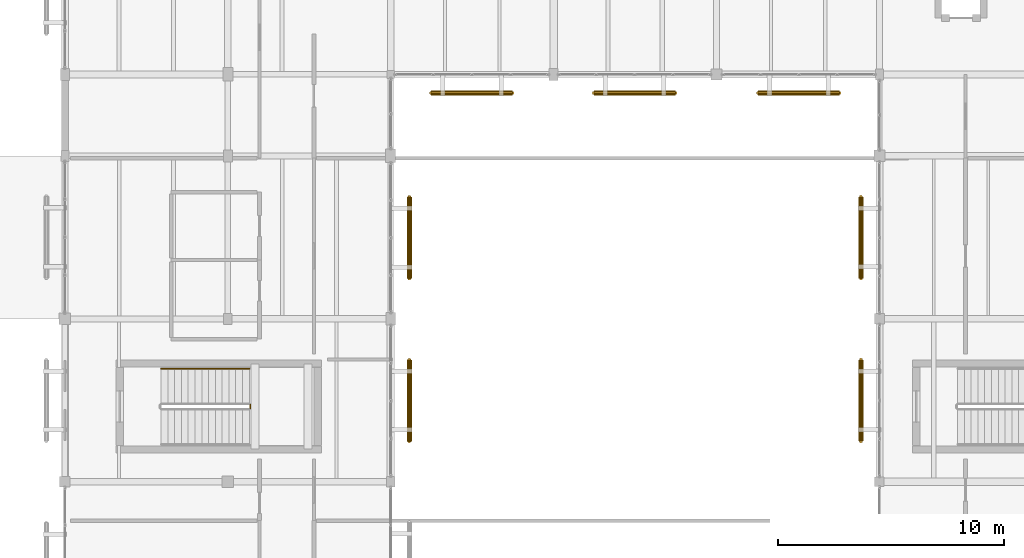
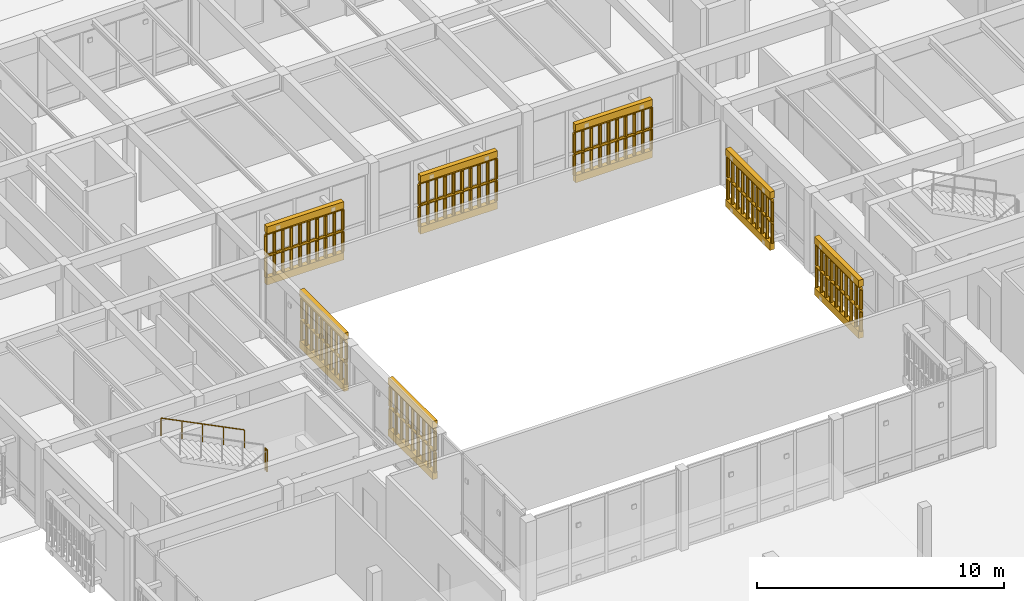
# One storey, part 109 of 112: 16 railings, 14 coverings.
"""IFC4 building model written with IfcOpenShell, lengths in metres."""

import ifcopenshell
import ifcopenshell.guid

model = None  # the IFC model being written
_history = None  # IfcOwnerHistory: only IFC2X3 demands one
_inside = {}  # id of a spatial element -> (the spatial element, [elements in it])
_under = {}  # id of a project, library or spatial element -> (it, [spatial elements below it])
_declared = {}  # id of a project -> (the project, [libraries it declares])
_typed = {}  # id of a type object -> (the type object, [elements of that type])
_made_of = {}  # id of a material, layer set ... -> (it, [elements and type objects made of it])


def new_model(schema):
    """Start an empty IFC model of exactly this schema.

    Asked for "IFC4X3", IfcOpenShell would pick the latest addendum, in which some entities
    have other attributes; the version numbers below select the first issue.
    IFC2X3 requires an IfcOwnerHistory on every rooted entity: one is made here for all.
    """
    global model, _history
    if schema == "IFC4X3":
        model = ifcopenshell.file(schema_version=(4, 3, 0, 0))
    else:
        model = ifcopenshell.file(schema=schema)
    _inside.clear()
    _under.clear()
    _declared.clear()
    _typed.clear()
    _made_of.clear()
    _history = None
    if model.schema == "IFC2X3":
        org = make("IfcOrganization", Name="unknown")
        user = make(
            "IfcPersonAndOrganization",
            ThePerson=make("IfcPerson", FamilyName="unknown"),
            TheOrganization=org,
        )
        app = make(
            "IfcApplication",
            ApplicationDeveloper=org,
            Version="unknown",
            ApplicationFullName="unknown",
            ApplicationIdentifier="unknown",
        )
        _history = make(
            "IfcOwnerHistory",
            OwningUser=user,
            OwningApplication=app,
            ChangeAction="ADDED",
            CreationDate=0,
        )
    return model


def make(cls, **values):
    """One entity of the class cls with the attributes given. An attribute that is None is left unset."""
    return model.create_entity(
        cls, **{name: value for name, value in values.items() if value is not None}
    )


def rooted(cls, **values):
    """An entity with a GlobalId (a new one), such as an element, a storey or a relation."""
    return make(cls, GlobalId=ifcopenshell.guid.new(), OwnerHistory=_history, **values)


def si_unit(unit_type, name, prefix=None):
    """IfcSIUnit, for example si_unit("LENGTHUNIT", "METRE", prefix="MILLI")."""
    return make("IfcSIUnit", UnitType=unit_type, Prefix=prefix, Name=name)


def assignment(units):
    """IfcUnitAssignment: the units of a project."""
    return None if units is None else make("IfcUnitAssignment", Units=units)


def point(xyz):
    """IfcCartesianPoint."""
    return None if xyz is None else make("IfcCartesianPoint", Coordinates=xyz)


def direction(xyz):
    """IfcDirection."""
    return None if xyz is None else make("IfcDirection", DirectionRatios=xyz)


def frame(location, z_axis=None, x_axis=None):
    """IfcAxis2Placement3D, a coordinate frame: its origin and axes. An axis left out is left unset."""
    return make(
        "IfcAxis2Placement3D",
        Location=point(location),
        Axis=direction(z_axis),
        RefDirection=direction(x_axis),
    )


def frame_2d(location, x_axis=None):
    """IfcAxis2Placement2D, a coordinate frame in the plane: its origin and x axis."""
    return make(
        "IfcAxis2Placement2D", Location=point(location), RefDirection=direction(x_axis)
    )


def origin():
    """The frame at (0, 0, 0) with its axes left unset."""
    return frame((0.0, 0.0, 0.0))


def origin_2d():
    """The frame at (0, 0) in the plane with its x axis left unset."""
    return frame_2d((0.0, 0.0))


def place(relative_to, where):
    """IfcLocalPlacement: puts the frame where relative to a parent placement (None: the world)."""
    return make(
        "IfcLocalPlacement", PlacementRelTo=relative_to, RelativePlacement=where
    )


def context(
    kind, dimensions, precision=None, world=None, true_north=None, identifier=None
):
    """IfcGeometricRepresentationContext, for example the 3D "Model" context."""
    return make(
        "IfcGeometricRepresentationContext",
        ContextIdentifier=identifier,
        ContextType=kind,
        CoordinateSpaceDimension=dimensions,
        Precision=precision,
        WorldCoordinateSystem=world,
        TrueNorth=true_north,
    )


def subcontext(parent, identifier, kind, view, scale=None):
    """IfcGeometricRepresentationSubContext, for example "Body" below "Model"."""
    return make(
        "IfcGeometricRepresentationSubContext",
        ContextIdentifier=identifier,
        ContextType=kind,
        ParentContext=parent,
        TargetScale=scale,
        TargetView=view,
    )


def project(units=None, contexts=None):
    """IfcProject with its units and contexts."""
    return rooted(
        "IfcProject",
        Name="project",
        RepresentationContexts=contexts,
        UnitsInContext=assignment(units),
    )


def spatial(cls, under=None, at=None, **own):
    """A site, building, storey or space (cls), placed at a placement, below another one or the project."""
    s = rooted(cls, ObjectPlacement=at, **own)
    if under is not None:
        _under.setdefault(under.id(), (under, []))[1].append(s)
    return s


def polyline(points):
    """IfcPolyline through the points."""
    return make("IfcPolyline", Points=[point(p) for p in points])


def profile(cls, at=None, kind="AREA", **sizes):
    """A parametric profile (cls). Its sizes go by their IFC names, for example OverallWidth=200.0."""
    return make(cls, ProfileType=kind, Position=at, **sizes)


def circle(**sizes):
    """IfcCircleProfileDef."""
    return profile("IfcCircleProfileDef", **sizes)


def outline(outer, holes=None, kind="AREA"):
    """IfcArbitraryClosedProfileDef: a profile drawn as a closed curve; with holes, ...WithVoids."""
    if holes is None:
        return make("IfcArbitraryClosedProfileDef", ProfileType=kind, OuterCurve=outer)
    return make(
        "IfcArbitraryProfileDefWithVoids",
        ProfileType=kind,
        OuterCurve=outer,
        InnerCurves=holes,
    )


def extrude(swept, where, along, depth):
    """IfcExtrudedAreaSolid: the profile swept, set in the frame where, extruded along a direction by depth."""
    return make(
        "IfcExtrudedAreaSolid",
        SweptArea=swept,
        Position=where,
        ExtrudedDirection=direction(along),
        Depth=depth,
    )


def shape(context_of_items, identifier, shape_type, items):
    """IfcShapeRepresentation: the items that make up one representation, for example the "Body"."""
    return make(
        "IfcShapeRepresentation",
        ContextOfItems=context_of_items,
        RepresentationIdentifier=identifier,
        RepresentationType=shape_type,
        Items=items,
    )


def material(Name=None, Category=None):
    """IfcMaterial."""
    return make("IfcMaterial", Name=Name, Category=Category)


def layer(
    of_material, thickness, ventilated=None, Name=None, Category=None, Priority=None
):
    """IfcMaterialLayer: one layer of a wall or slab, of a material (None: an air gap)."""
    return make(
        "IfcMaterialLayer",
        Material=of_material,
        LayerThickness=thickness,
        IsVentilated=ventilated,
        Name=Name,
        Category=Category,
        Priority=Priority,
    )


def layer_set(layers, Name=None):
    """IfcMaterialLayerSet."""
    return make("IfcMaterialLayerSet", MaterialLayers=layers, LayerSetName=Name)


def made_of(thing, what):
    """Note that an element or type object is made of a material, layer set ...; save() writes the relation."""
    if what is not None:
        _made_of.setdefault(what.id(), (what, []))[1].append(thing)
    return thing


def type_object(cls, material=None, **own):
    """A type object (cls), such as IfcWallType, which elements share."""
    return made_of(rooted(cls, **own), material)


def element(
    cls,
    number,
    at=None,
    inside=None,
    cuts=None,
    type_object=None,
    material=None,
    context=None,
    identifier="Body",
    shape_type=None,
    held_by="IfcProductDefinitionShape",
    body=None,
    shapes=None,
    **own,
):
    """One element of the class cls, such as IfcWall. Its Tag is "e" and its number.

    at: its placement. inside: the storey or other place that contains it. cuts: it is an
    opening in that element (IfcRelVoidsElement). A single representation is given by context,
    identifier, shape_type and body (its items); several are given by shapes. held_by: the class
    of the entity that holds the representations. save() writes the other relations.
    """
    e = rooted(cls, Tag="e%d" % number, ObjectPlacement=at, **own)
    if body is not None:
        shapes = [shape(context, identifier, shape_type, body)]
    if shapes is not None:
        e.Representation = make(held_by, Representations=shapes)
    if inside is not None:
        _inside.setdefault(inside.id(), (inside, []))[1].append(e)
    if cuts is not None:
        rooted(
            "IfcRelVoidsElement", RelatingBuildingElement=cuts, RelatedOpeningElement=e
        )
    if type_object is not None:
        _typed.setdefault(type_object.id(), (type_object, []))[1].append(e)
    return made_of(e, material)


def aggregate(whole, parts):
    """IfcRelAggregates: a whole, such as a stair, and the parts it consists of."""
    return rooted("IfcRelAggregates", RelatingObject=whole, RelatedObjects=parts)


def save(model, path):
    """Write the relations noted so far, then the file.

    IfcRelAggregates (storeys below a building ...), IfcRelContainedInSpatialStructure (elements
    in a storey), IfcRelDefinesByType, IfcRelAssociatesMaterial and IfcRelDeclares: one each for
    every whole, place, type object, material and project.
    """
    for whole, parts in _under.values():
        aggregate(whole, parts)
    for where, things in _inside.values():
        rooted(
            "IfcRelContainedInSpatialStructure",
            RelatedElements=things,
            RelatingStructure=where,
        )
    for kind, things in _typed.values():
        rooted("IfcRelDefinesByType", RelatedObjects=things, RelatingType=kind)
    for what, things in _made_of.values():
        rooted("IfcRelAssociatesMaterial", RelatedObjects=things, RelatingMaterial=what)
    for by, libraries in _declared.values():
        rooted("IfcRelDeclares", RelatingContext=by, RelatedDefinitions=libraries)
    model.write(path)


model = new_model("IFC4")

# Units and contexts
model_context = context("Model", 3, precision=1e-05, world=origin(), true_north=direction((0.0, 1.0)))
body_context = subcontext(model_context, "Body", "Model", "MODEL_VIEW")
ifc_project = project(units=[si_unit("LENGTHUNIT", "METRE"), si_unit("AREAUNIT", "SQUARE_METRE"), si_unit("VOLUMEUNIT", "CUBIC_METRE"), si_unit("PLANEANGLEUNIT", "RADIAN"), si_unit("MASSUNIT", "GRAM", prefix="KILO")], contexts=[model_context])

# Site, building, storey
site_placement = place(None, origin())
site = spatial("IfcSite", under=ifc_project, at=site_placement, CompositionType="ELEMENT")
building_placement = place(site_placement, origin())
building = spatial("IfcBuilding", under=site, at=building_placement, Name="Mazaris Harbour Polytechnic", CompositionType="ELEMENT")
storey_placement = place(building_placement, frame((0.0, 0.0, 13.800048828125)))
storey = spatial("IfcBuildingStorey", under=building, at=storey_placement, Name="L03", CompositionType="ELEMENT", Elevation=13.800048828125)

# Railings
ifc_material_1 = material(Name="Perforated Earth-Coloured Terracotta Block", Category="masonry")
railing_type_1 = type_object("IfcRailingType", Name="Perforated Earth-Block Claustra Lattice 1040", PredefinedType="BALUSTRADE", material=ifc_material_1)
for number, where, name in (
    (1, (142.18505859375, 85.580078125, 0.52001953125), "V5 L03 Lower Perforated Terracotta Block Screen 476"),
    (2, (142.18505859375, 85.580078125, 1.60986328125), "V5 L03 Upper Perforated Terracotta Block Screen 476"),
    (3, (149.375, 85.580078125, 0.52001953125), "V5 L03 Lower Perforated Terracotta Block Screen 477"),
    (4, (149.375, 85.580078125, 1.60986328125), "V5 L03 Upper Perforated Terracotta Block Screen 477"),
    (5, (156.635009765625, 85.580078125, 0.52001953125), "V5 L03 Lower Perforated Terracotta Block Screen 478"),
    (6, (156.635009765625, 85.580078125, 1.60986328125), "V5 L03 Upper Perforated Terracotta Block Screen 478"),
):
    element("IfcRailing", number, at=place(storey_placement, frame(where)), inside=storey, type_object=railing_type_1, Name=name, PredefinedType="BALUSTRADE", context=body_context, shape_type="SweptSolid", body=[
        extrude(circle(Radius=0.06982421875, at=origin_2d()), frame((0.0, 0.0, 1.02001953125), z_axis=(-1.0, 0.0, 0.0), x_axis=(0.0, -1.0, 0.0)), (0.0, 0.0, 1.0), 3.60009765625),
        extrude(circle(Radius=0.074951171875, at=origin_2d()), origin(), (0.0, 0.0, 1.0), 0.9501953125),
        extrude(circle(Radius=0.074951171875, at=origin_2d()), frame((-0.39990234375, 0.0, 0.0)), (0.0, 0.0, 1.0), 0.9501953125),
        extrude(circle(Radius=0.074951171875, at=origin_2d()), frame((-0.800048828125, 0.0, 0.0)), (0.0, 0.0, 1.0), 0.9501953125),
        extrude(circle(Radius=0.074951171875, at=origin_2d()), frame((-1.199951171875, 0.0, 0.0)), (0.0, 0.0, 1.0), 0.9501953125),
        extrude(circle(Radius=0.074951171875, at=origin_2d()), frame((-1.60009765625, 0.0, 0.0)), (0.0, 0.0, 1.0), 0.9501953125),
        extrude(circle(Radius=0.074951171875, at=origin_2d()), frame((-2.0, 0.0, 0.0)), (0.0, 0.0, 1.0), 0.9501953125),
        extrude(circle(Radius=0.074951171875, at=origin_2d()), frame((-2.400146484375, 0.0, 0.0)), (0.0, 0.0, 1.0), 0.9501953125),
        extrude(circle(Radius=0.074951171875, at=origin_2d()), frame((-2.800048828125, 0.0, 0.0)), (0.0, 0.0, 1.0), 0.9501953125),
        extrude(circle(Radius=0.074951171875, at=origin_2d()), frame((-3.2001953125, 0.0, 0.0)), (0.0, 0.0, 1.0), 0.9501953125),
        extrude(circle(Radius=0.074951171875, at=origin_2d()), frame((-3.60009765625, 0.0, 0.0)), (0.0, 0.0, 1.0), 0.9501953125),
    ])
for number, where, name in (
    (7, (137.6201171875, 70.18505859375, 0.52001953125), "V5 L03 Lower Perforated Terracotta Block Screen 480"),
    (8, (137.6201171875, 70.18505859375, 1.60986328125), "V5 L03 Upper Perforated Terracotta Block Screen 480"),
):
    element("IfcRailing", number, at=place(storey_placement, frame(where)), inside=storey, type_object=railing_type_1, Name=name, PredefinedType="BALUSTRADE", context=body_context, shape_type="SweptSolid", body=[
        extrude(circle(Radius=0.06982421875, at=origin_2d()), frame((0.0, 0.0, 1.02001953125), z_axis=(0.0, 1.0, 0.0), x_axis=(-1.0, 0.0, 0.0)), (0.0, 0.0, 1.0), 3.599853515625),
        extrude(circle(Radius=0.074951171875, at=origin_2d()), origin(), (0.0, 0.0, 1.0), 0.9501953125),
        extrude(circle(Radius=0.074951171875, at=origin_2d()), frame((0.0, 0.449951171875, 0.0)), (0.0, 0.0, 1.0), 0.9501953125),
        extrude(circle(Radius=0.074951171875, at=origin_2d()), frame((0.0, 0.89990234375, 0.0)), (0.0, 0.0, 1.0), 0.9501953125),
        extrude(circle(Radius=0.074951171875, at=origin_2d()), frame((0.0, 1.349853515625, 0.0)), (0.0, 0.0, 1.0), 0.9501953125),
        extrude(circle(Radius=0.074951171875, at=origin_2d()), frame((0.0, 1.7998046875, 0.0)), (0.0, 0.0, 1.0), 0.9501953125),
        extrude(circle(Radius=0.074951171875, at=origin_2d()), frame((0.0, 2.25, 0.0)), (0.0, 0.0, 1.0), 0.9501953125),
        extrude(circle(Radius=0.074951171875, at=origin_2d()), frame((0.0, 2.699951171875, 0.0)), (0.0, 0.0, 1.0), 0.9501953125),
        extrude(circle(Radius=0.074951171875, at=origin_2d()), frame((0.0, 3.14990234375, 0.0)), (0.0, 0.0, 1.0), 0.9501953125),
        extrude(circle(Radius=0.074951171875, at=origin_2d()), frame((0.0, 3.599853515625, 0.0)), (0.0, 0.0, 1.0), 0.9501953125),
    ])
for number, where, name in (
    (9, (137.6201171875, 77.385009765625, 0.52001953125), "V5 L03 Lower Perforated Terracotta Block Screen 481"),
    (10, (137.6201171875, 77.385009765625, 1.60986328125), "V5 L03 Upper Perforated Terracotta Block Screen 481"),
):
    element("IfcRailing", number, at=place(storey_placement, frame(where)), inside=storey, type_object=railing_type_1, Name=name, PredefinedType="BALUSTRADE", context=body_context, shape_type="SweptSolid", body=[
        extrude(circle(Radius=0.06982421875, at=origin_2d()), frame((0.0, 0.0, 1.02001953125), z_axis=(0.0, 1.0, 0.0), x_axis=(-1.0, 0.0, 0.0)), (0.0, 0.0, 1.0), 3.60009765625),
        extrude(circle(Radius=0.074951171875, at=origin_2d()), origin(), (0.0, 0.0, 1.0), 0.9501953125),
        extrude(circle(Radius=0.074951171875, at=origin_2d()), frame((0.0, 0.39990234375, 0.0)), (0.0, 0.0, 1.0), 0.9501953125),
        extrude(circle(Radius=0.074951171875, at=origin_2d()), frame((0.0, 0.800048828125, 0.0)), (0.0, 0.0, 1.0), 0.9501953125),
        extrude(circle(Radius=0.074951171875, at=origin_2d()), frame((0.0, 1.199951171875, 0.0)), (0.0, 0.0, 1.0), 0.9501953125),
        extrude(circle(Radius=0.074951171875, at=origin_2d()), frame((0.0, 1.60009765625, 0.0)), (0.0, 0.0, 1.0), 0.9501953125),
        extrude(circle(Radius=0.074951171875, at=origin_2d()), frame((0.0, 2.0, 0.0)), (0.0, 0.0, 1.0), 0.9501953125),
        extrude(circle(Radius=0.074951171875, at=origin_2d()), frame((0.0, 2.400146484375, 0.0)), (0.0, 0.0, 1.0), 0.9501953125),
        extrude(circle(Radius=0.074951171875, at=origin_2d()), frame((0.0, 2.800048828125, 0.0)), (0.0, 0.0, 1.0), 0.9501953125),
        extrude(circle(Radius=0.074951171875, at=origin_2d()), frame((0.0, 3.2001953125, 0.0)), (0.0, 0.0, 1.0), 0.9501953125),
        extrude(circle(Radius=0.074951171875, at=origin_2d()), frame((0.0, 3.60009765625, 0.0)), (0.0, 0.0, 1.0), 0.9501953125),
    ])
for number, where, name in (
    (11, (157.580078125, 73.7900390625, 0.52001953125), "V5 L03 Lower Perforated Terracotta Block Screen 483"),
    (12, (157.580078125, 73.7900390625, 1.60986328125), "V5 L03 Upper Perforated Terracotta Block Screen 483"),
    (13, (157.580078125, 80.989990234375, 0.52001953125), "V5 L03 Lower Perforated Terracotta Block Screen 484"),
    (14, (157.580078125, 80.989990234375, 1.60986328125), "V5 L03 Upper Perforated Terracotta Block Screen 484"),
):
    element("IfcRailing", number, at=place(storey_placement, frame(where)), inside=storey, type_object=railing_type_1, Name=name, PredefinedType="BALUSTRADE", context=body_context, shape_type="SweptSolid", body=[
        extrude(circle(Radius=0.06982421875, at=origin_2d()), frame((0.0, 0.0, 1.02001953125), z_axis=(0.0, -1.0, 0.0), x_axis=(1.0, 0.0, 0.0)), (0.0, 0.0, 1.0), 3.60009765625),
        extrude(circle(Radius=0.074951171875, at=origin_2d()), origin(), (0.0, 0.0, 1.0), 0.9501953125),
        extrude(circle(Radius=0.074951171875, at=origin_2d()), frame((0.0, -0.39990234375, 0.0)), (0.0, 0.0, 1.0), 0.9501953125),
        extrude(circle(Radius=0.074951171875, at=origin_2d()), frame((0.0, -0.800048828125, 0.0)), (0.0, 0.0, 1.0), 0.9501953125),
        extrude(circle(Radius=0.074951171875, at=origin_2d()), frame((0.0, -1.199951171875, 0.0)), (0.0, 0.0, 1.0), 0.9501953125),
        extrude(circle(Radius=0.074951171875, at=origin_2d()), frame((0.0, -1.60009765625, 0.0)), (0.0, 0.0, 1.0), 0.9501953125),
        extrude(circle(Radius=0.074951171875, at=origin_2d()), frame((0.0, -2.0, 0.0)), (0.0, 0.0, 1.0), 0.9501953125),
        extrude(circle(Radius=0.074951171875, at=origin_2d()), frame((0.0, -2.400146484375, 0.0)), (0.0, 0.0, 1.0), 0.9501953125),
        extrude(circle(Radius=0.074951171875, at=origin_2d()), frame((0.0, -2.800048828125, 0.0)), (0.0, 0.0, 1.0), 0.9501953125),
        extrude(circle(Radius=0.074951171875, at=origin_2d()), frame((0.0, -3.2001953125, 0.0)), (0.0, 0.0, 1.0), 0.9501953125),
        extrude(circle(Radius=0.074951171875, at=origin_2d()), frame((0.0, -3.60009765625, 0.0)), (0.0, 0.0, 1.0), 0.9501953125),
    ])
ifc_material_2 = material(Name="Stainless Steel S355", Category="steel")
railing_type_2 = type_object("IfcRailingType", Name="Stair Wall Handrail 900", PredefinedType="HANDRAIL", material=ifc_material_2)
railing_1_placement = place(storey_placement, frame((130.550048828125, 73.39990234375, 2.25)))
element("IfcRailing", 15, at=railing_1_placement, inside=storey, type_object=railing_type_2, Name="L03 ST09 stair handrail 2", PredefinedType="HANDRAIL", context=body_context, shape_type="SweptSolid", body=[
    extrude(circle(Radius=0.02392578125, at=origin_2d()), frame((0.0, 0.0, 0.8759765625), z_axis=(-0.894438388696, 0.0, 0.447191199406), x_axis=(0.0, -1.0, 0.0)), (0.0, 0.0, 1.0), 4.3603515625),
    extrude(circle(Radius=0.02099609375, at=origin_2d()), origin(), (0.0, 0.0, 1.0), 0.851806640625),
    extrude(circle(Radius=0.02099609375, at=origin_2d()), frame((-0.97509765625, 0.0, 0.487548828125)), (0.0, 0.0, 1.0), 0.851806640625),
    extrude(circle(Radius=0.02099609375, at=origin_2d()), frame((-1.9501953125, 0.0, 0.97509765625)), (0.0, 0.0, 1.0), 0.851806640625),
    extrude(circle(Radius=0.02099609375, at=origin_2d()), frame((-2.925048828125, 0.0, 1.46240234375)), (0.0, 0.0, 1.0), 0.851806640625),
    extrude(circle(Radius=0.02099609375, at=origin_2d()), frame((-3.900146484375, 0.0, 1.949951171875)), (0.0, 0.0, 1.0), 0.851806640625),
])
ifc_material_3 = material(Name="Steel S355", Category="steel")
railing_type_3 = type_object("IfcRailingType", Name="Stair Well Guardrail 1100", PredefinedType="GUARDRAIL", material=ifc_material_3)
railing_2_placement = place(storey_placement, frame((130.60009765625, 71.64990234375, 2.099853515625)))
element("IfcRailing", 16, at=railing_2_placement, inside=storey, type_object=railing_type_3, Name="L03 ST09 stair guard 2", PredefinedType="GUARDRAIL", context=body_context, shape_type="SweptSolid", body=[
    extrude(circle(Radius=0.02392578125, at=origin_2d()), frame((0.0, 0.0, 1.076171875), z_axis=(0.0, 1.0, 0.0), x_axis=(-1.0, 0.0, 0.0)), (0.0, 0.0, 1.0), 0.150146484375),
    extrude(circle(Radius=0.02099609375, at=origin_2d()), origin(), (0.0, 0.0, 1.0), 1.052001953125),
    extrude(circle(Radius=0.02099609375, at=origin_2d()), frame((0.0, 0.150146484375, 0.0)), (0.0, 0.0, 1.0), 1.052001953125),
])

# Coverings
ifc_material_4 = material(Name="Perforated Earth-Coloured Terracotta Block", Category="masonry")
ifc_layer = layer(ifc_material_4, 0.219970703125, Name="Perforated Earth-Coloured Terracotta Block")
ifc_layer_set = layer_set([ifc_layer], Name="Perforated Earth-Coloured Terracotta Block")
covering_type = type_object("IfcCoveringType", Name="Terracotta Screen Course Cladding 220", PredefinedType="CLADDING", material=ifc_layer_set)
covering_1_placement = place(storey_placement, frame((0.0, 0.0, 0.159912109375)))
element("IfcCovering", 17, at=covering_1_placement, inside=storey, type_object=covering_type, Name="V5 L03 Perforated Screen Sill Course 476", PredefinedType="CLADDING", context=body_context, shape_type="SweptSolid", body=[
    extrude(outline(polyline([(142.18505859375, 85.68994140625), (138.5849609375, 85.68994140625), (138.5849609375, 85.469970703125), (142.18505859375, 85.469970703125), (142.18505859375, 85.68994140625)])), origin(), (0.0, 0.0, 1.0), 0.360107421875),
])
covering_2_placement = place(storey_placement, frame((0.0, 0.0, 2.699951171875)))
element("IfcCovering", 18, at=covering_2_placement, inside=storey, type_object=covering_type, Name="V5 L03 Perforated Screen Lintel Course 476", PredefinedType="CLADDING", context=body_context, shape_type="SweptSolid", body=[
    extrude(outline(polyline([(142.18505859375, 85.68994140625), (138.5849609375, 85.68994140625), (138.5849609375, 85.469970703125), (142.18505859375, 85.469970703125), (142.18505859375, 85.68994140625)])), origin(), (0.0, 0.0, 1.0), 0.340087890625),
])
covering_3_placement = place(storey_placement, frame((0.0, 0.0, 0.159912109375)))
element("IfcCovering", 19, at=covering_3_placement, inside=storey, type_object=covering_type, Name="V5 L03 Perforated Screen Sill Course 477", PredefinedType="CLADDING", context=body_context, shape_type="SweptSolid", body=[
    extrude(outline(polyline([(149.375, 85.68994140625), (145.77490234375, 85.68994140625), (145.77490234375, 85.469970703125), (149.375, 85.469970703125), (149.375, 85.68994140625)])), origin(), (0.0, 0.0, 1.0), 0.360107421875),
])
covering_4_placement = place(storey_placement, frame((0.0, 0.0, 2.699951171875)))
element("IfcCovering", 20, at=covering_4_placement, inside=storey, type_object=covering_type, Name="V5 L03 Perforated Screen Lintel Course 477", PredefinedType="CLADDING", context=body_context, shape_type="SweptSolid", body=[
    extrude(outline(polyline([(149.375, 85.68994140625), (145.77490234375, 85.68994140625), (145.77490234375, 85.469970703125), (149.375, 85.469970703125), (149.375, 85.68994140625)])), origin(), (0.0, 0.0, 1.0), 0.340087890625),
])
covering_5_placement = place(storey_placement, frame((0.0, 0.0, 0.159912109375)))
element("IfcCovering", 21, at=covering_5_placement, inside=storey, type_object=covering_type, Name="V5 L03 Perforated Screen Sill Course 478", PredefinedType="CLADDING", context=body_context, shape_type="SweptSolid", body=[
    extrude(outline(polyline([(156.635009765625, 85.68994140625), (153.034912109375, 85.68994140625), (153.034912109375, 85.469970703125), (156.635009765625, 85.469970703125), (156.635009765625, 85.68994140625)])), origin(), (0.0, 0.0, 1.0), 0.360107421875),
])
covering_6_placement = place(storey_placement, frame((0.0, 0.0, 2.699951171875)))
element("IfcCovering", 22, at=covering_6_placement, inside=storey, type_object=covering_type, Name="V5 L03 Perforated Screen Lintel Course 478", PredefinedType="CLADDING", context=body_context, shape_type="SweptSolid", body=[
    extrude(outline(polyline([(156.635009765625, 85.68994140625), (153.034912109375, 85.68994140625), (153.034912109375, 85.469970703125), (156.635009765625, 85.469970703125), (156.635009765625, 85.68994140625)])), origin(), (0.0, 0.0, 1.0), 0.340087890625),
])
covering_7_placement = place(storey_placement, frame((0.0, 0.0, 0.159912109375)))
element("IfcCovering", 23, at=covering_7_placement, inside=storey, type_object=covering_type, Name="V5 L03 Perforated Screen Sill Course 480", PredefinedType="CLADDING", context=body_context, shape_type="SweptSolid", body=[
    extrude(outline(polyline([(137.510009765625, 70.18505859375), (137.510009765625, 73.784912109375), (137.72998046875, 73.784912109375), (137.72998046875, 70.18505859375), (137.510009765625, 70.18505859375)])), origin(), (0.0, 0.0, 1.0), 0.360107421875),
])
covering_8_placement = place(storey_placement, frame((0.0, 0.0, 2.699951171875)))
element("IfcCovering", 24, at=covering_8_placement, inside=storey, type_object=covering_type, Name="V5 L03 Perforated Screen Lintel Course 480", PredefinedType="CLADDING", context=body_context, shape_type="SweptSolid", body=[
    extrude(outline(polyline([(137.510009765625, 70.18505859375), (137.510009765625, 73.784912109375), (137.72998046875, 73.784912109375), (137.72998046875, 70.18505859375), (137.510009765625, 70.18505859375)])), origin(), (0.0, 0.0, 1.0), 0.340087890625),
])
covering_9_placement = place(storey_placement, frame((0.0, 0.0, 0.159912109375)))
element("IfcCovering", 25, at=covering_9_placement, inside=storey, type_object=covering_type, Name="V5 L03 Perforated Screen Sill Course 481", PredefinedType="CLADDING", context=body_context, shape_type="SweptSolid", body=[
    extrude(outline(polyline([(137.510009765625, 77.385009765625), (137.510009765625, 80.985107421875), (137.72998046875, 80.985107421875), (137.72998046875, 77.385009765625), (137.510009765625, 77.385009765625)])), origin(), (0.0, 0.0, 1.0), 0.360107421875),
])
covering_10_placement = place(storey_placement, frame((0.0, 0.0, 2.699951171875)))
element("IfcCovering", 26, at=covering_10_placement, inside=storey, type_object=covering_type, Name="V5 L03 Perforated Screen Lintel Course 481", PredefinedType="CLADDING", context=body_context, shape_type="SweptSolid", body=[
    extrude(outline(polyline([(137.510009765625, 77.385009765625), (137.510009765625, 80.985107421875), (137.72998046875, 80.985107421875), (137.72998046875, 77.385009765625), (137.510009765625, 77.385009765625)])), origin(), (0.0, 0.0, 1.0), 0.340087890625),
])
covering_11_placement = place(storey_placement, frame((0.0, 0.0, 0.159912109375)))
element("IfcCovering", 27, at=covering_11_placement, inside=storey, type_object=covering_type, Name="V5 L03 Perforated Screen Sill Course 483", PredefinedType="CLADDING", context=body_context, shape_type="SweptSolid", body=[
    extrude(outline(polyline([(157.68994140625, 73.7900390625), (157.68994140625, 70.18994140625), (157.469970703125, 70.18994140625), (157.469970703125, 73.7900390625), (157.68994140625, 73.7900390625)])), origin(), (0.0, 0.0, 1.0), 0.360107421875),
])
covering_12_placement = place(storey_placement, frame((0.0, 0.0, 2.699951171875)))
element("IfcCovering", 28, at=covering_12_placement, inside=storey, type_object=covering_type, Name="V5 L03 Perforated Screen Lintel Course 483", PredefinedType="CLADDING", context=body_context, shape_type="SweptSolid", body=[
    extrude(outline(polyline([(157.68994140625, 73.7900390625), (157.68994140625, 70.18994140625), (157.469970703125, 70.18994140625), (157.469970703125, 73.7900390625), (157.68994140625, 73.7900390625)])), origin(), (0.0, 0.0, 1.0), 0.340087890625),
])
covering_13_placement = place(storey_placement, frame((0.0, 0.0, 0.159912109375)))
element("IfcCovering", 29, at=covering_13_placement, inside=storey, type_object=covering_type, Name="V5 L03 Perforated Screen Sill Course 484", PredefinedType="CLADDING", context=body_context, shape_type="SweptSolid", body=[
    extrude(outline(polyline([(157.68994140625, 80.989990234375), (157.68994140625, 77.389892578125), (157.469970703125, 77.389892578125), (157.469970703125, 80.989990234375), (157.68994140625, 80.989990234375)])), origin(), (0.0, 0.0, 1.0), 0.360107421875),
])
covering_14_placement = place(storey_placement, frame((0.0, 0.0, 2.699951171875)))
element("IfcCovering", 30, at=covering_14_placement, inside=storey, type_object=covering_type, Name="V5 L03 Perforated Screen Lintel Course 484", PredefinedType="CLADDING", context=body_context, shape_type="SweptSolid", body=[
    extrude(outline(polyline([(157.68994140625, 80.989990234375), (157.68994140625, 77.389892578125), (157.469970703125, 77.389892578125), (157.469970703125, 80.989990234375), (157.68994140625, 80.989990234375)])), origin(), (0.0, 0.0, 1.0), 0.340087890625),
])

save(model, "model.ifc")
